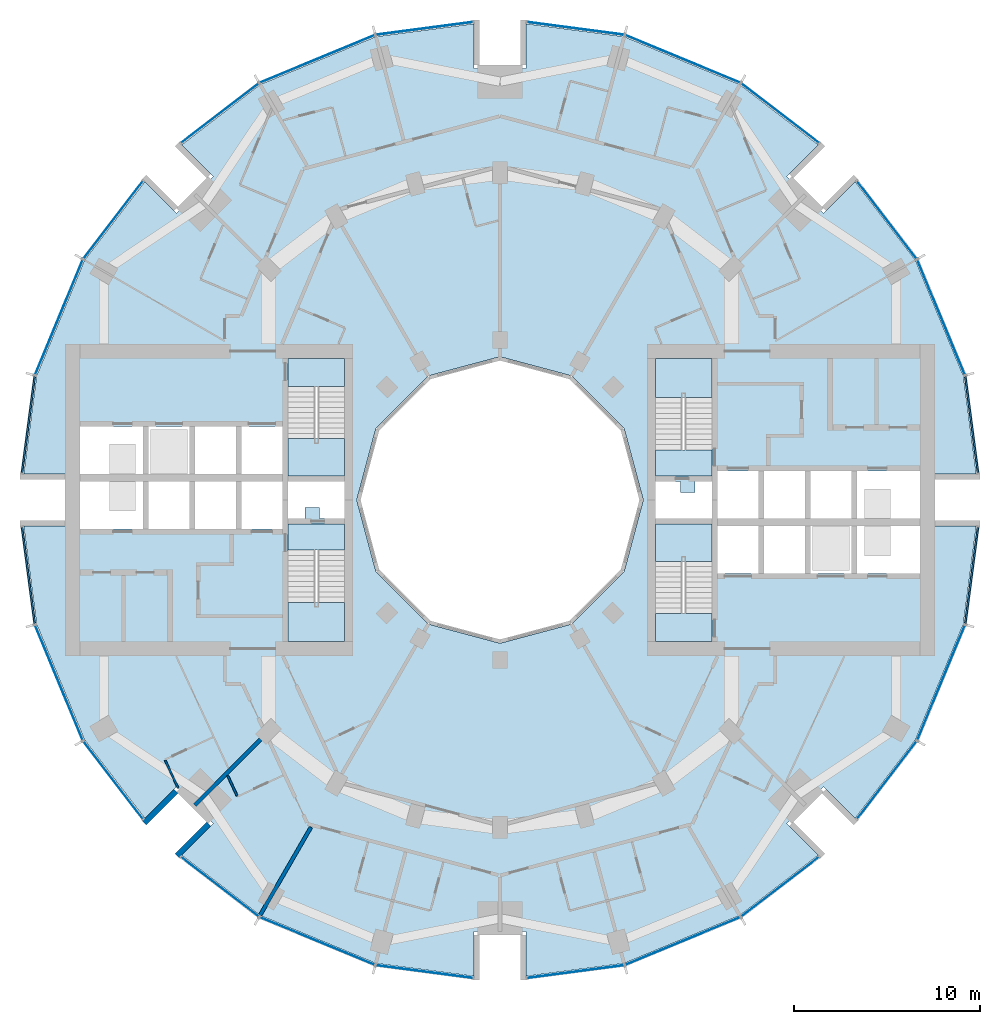
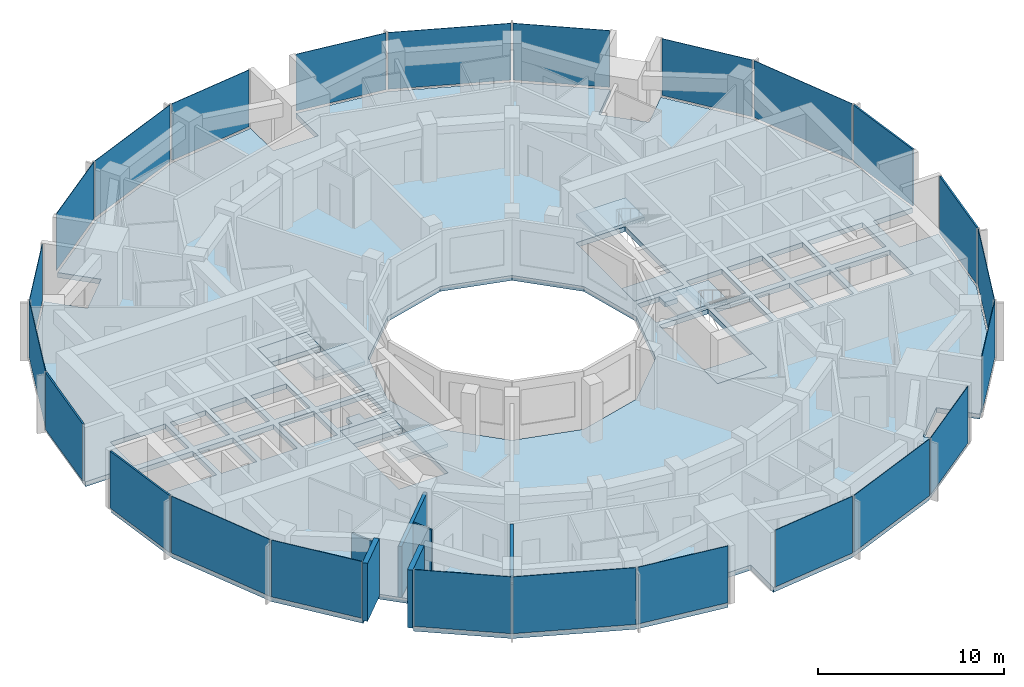
# One storey, part 7 of 15: 24 plates, 9 slabs, 6 walls, 28 elements without a shape of their own.
"""IFC4 building model written with IfcOpenShell, lengths in metres."""

from ifc_helpers import new_model, si_unit, direction, frame, frame_2d, origin, origin_2d, place, context, subcontext, project, spatial, polyline, rectangle, outline, extrude, material, layer, layer_set, type_object, element, aggregate, save


model = new_model("IFC4")

# Units and contexts
model_context = context("Model", 3, precision=1e-05, world=origin(), true_north=direction((0.0, 1.0)))
body_context = subcontext(model_context, "Body", "Model", "MODEL_VIEW")
ifc_project = project(units=[si_unit("LENGTHUNIT", "METRE"), si_unit("AREAUNIT", "SQUARE_METRE"), si_unit("VOLUMEUNIT", "CUBIC_METRE"), si_unit("PLANEANGLEUNIT", "RADIAN"), si_unit("MASSUNIT", "GRAM", prefix="KILO")], contexts=[model_context])

# Site, building, storey
site_placement = place(None, origin())
site = spatial("IfcSite", under=ifc_project, at=site_placement, CompositionType="ELEMENT")
building_placement = place(site_placement, origin())
building = spatial("IfcBuilding", under=site, at=building_placement, Name="Torre Brocal", CompositionType="ELEMENT")
storey_placement = place(building_placement, frame((0.0, 0.0, 82.39990234375)))
storey = spatial("IfcBuildingStorey", under=building, at=storey_placement, Name="L18", CompositionType="ELEMENT", Elevation=82.39990234375)

# Curtain wall, plate
ifc_material_1 = material(Name="Aluminium and glass", Category="aluminium")
ifc_layer_1 = layer(ifc_material_1, 0.199951171875)
ifc_layer_set_1 = layer_set([ifc_layer_1], Name="Aluminium and glass")
curtain_wall_type_1 = type_object("IfcCurtainWallType", Name="CW-1 CURTAIN WALL 3800 HIGH", PredefinedType="NOTDEFINED", material=ifc_layer_set_1)
curtain_wall_1_placement = place(storey_placement, origin())
curtain_wall_1 = element("IfcCurtainWall", 1, at=curtain_wall_1_placement, inside=storey, type_object=curtain_wall_type_1, Name="CW-1 RUN 2", PredefinedType="NOTDEFINED")
ifc_material_2 = material(Name="Glass, dark tinted laminated", Category="glass")
ifc_layer_2 = layer(ifc_material_2, 0.031982421875)
ifc_layer_set_2 = layer_set([ifc_layer_2], Name="Glass, dark tinted laminated")
plate_type_1 = type_object("IfcPlateType", Name="CW-1 GLASS PANEL 32", PredefinedType="CURTAIN_PANEL", material=ifc_layer_set_2)
plate_1_placement = place(storey_placement, frame((103.722900390625, 84.826416015625, 0.080078125), z_axis=(0.0, 0.0, 1.0), x_axis=(-0.382683432333, 0.923879532525, 0.0)))
plate_1 = element("IfcPlate", 2, at=plate_1_placement, type_object=plate_type_1, Name="CW1-1 panel 1.1", PredefinedType="CURTAIN_PANEL", context=body_context, shape_type="SweptSolid", body=[
    extrude(rectangle(XDim=6.64111328125, YDim=0.031982421875, at=origin_2d()), origin(), (0.0, 0.0, 1.0), 3.719970703125),
])
aggregate(curtain_wall_1, [plate_1])

curtain_wall_2_placement = place(storey_placement, origin())
curtain_wall_2 = element("IfcCurtainWall", 3, at=curtain_wall_2_placement, inside=storey, type_object=curtain_wall_type_1, Name="CW-1 RUN 3", PredefinedType="NOTDEFINED")
plate_2_placement = place(storey_placement, frame((100.80126953125, 90.0712890625, 0.080078125), z_axis=(0.0, 0.0, 1.0), x_axis=(-0.60876142905, 0.793353340259, 0.0)))
plate_2 = element("IfcPlate", 4, at=plate_2_placement, type_object=plate_type_1, Name="CW1-1 panel 1.1", PredefinedType="CURTAIN_PANEL", context=body_context, shape_type="SweptSolid", body=[
    extrude(rectangle(XDim=5.22900390625, YDim=0.031982421875, at=origin_2d()), origin(), (0.0, 0.0, 1.0), 3.719970703125),
])
aggregate(curtain_wall_2, [plate_2])

curtain_wall_3_placement = place(storey_placement, origin())
curtain_wall_3 = element("IfcCurtainWall", 5, at=curtain_wall_3_placement, inside=storey, type_object=curtain_wall_type_1, Name="CW-1 RUN 4", PredefinedType="NOTDEFINED")
plate_3_placement = place(storey_placement, frame((95.0712890625, 95.80126953125, 0.080078125), z_axis=(0.0, 0.0, 1.0), x_axis=(-0.793353340259, 0.60876142905, 0.0)))
plate_3 = element("IfcPlate", 6, at=plate_3_placement, type_object=plate_type_1, Name="CW1-1 panel 1.1", PredefinedType="CURTAIN_PANEL", context=body_context, shape_type="SweptSolid", body=[
    extrude(rectangle(XDim=5.22900390625, YDim=0.031982421875, at=origin_2d()), origin(), (0.0, 0.0, 1.0), 3.719970703125),
])
aggregate(curtain_wall_3, [plate_3])

curtain_wall_4_placement = place(storey_placement, origin())
curtain_wall_4 = element("IfcCurtainWall", 7, at=curtain_wall_4_placement, inside=storey, type_object=curtain_wall_type_1, Name="CW-1 RUN 5", PredefinedType="NOTDEFINED")
plate_4_placement = place(storey_placement, frame((89.826416015625, 98.722900390625, 0.080078125), z_axis=(0.0, 0.0, 1.0), x_axis=(-0.923879532525, 0.382683432333, 0.0)))
plate_4 = element("IfcPlate", 8, at=plate_4_placement, type_object=plate_type_1, Name="CW1-1 panel 1.1", PredefinedType="CURTAIN_PANEL", context=body_context, shape_type="SweptSolid", body=[
    extrude(rectangle(XDim=6.64111328125, YDim=0.031982421875, at=origin_2d()), origin(), (0.0, 0.0, 1.0), 3.719970703125),
])
aggregate(curtain_wall_4, [plate_4])

curtain_wall_5_placement = place(storey_placement, origin())
curtain_wall_5 = element("IfcCurtainWall", 9, at=curtain_wall_5_placement, inside=storey, type_object=curtain_wall_type_1, Name="CW-1 RUN 6", PredefinedType="NOTDEFINED")
plate_5_placement = place(storey_placement, frame((84.051513671875, 100.36572265625, 0.080078125), z_axis=(0.0, 0.0, 1.0), x_axis=(-0.991444861374, 0.13052619222, 0.0)))
plate_5 = element("IfcPlate", 10, at=plate_5_placement, type_object=plate_type_1, Name="CW1-1 panel 1.1", PredefinedType="CURTAIN_PANEL", context=body_context, shape_type="SweptSolid", body=[
    extrude(rectangle(XDim=5.22900390625, YDim=0.031982421875, at=origin_2d()), origin(), (0.0, 0.0, 1.0), 3.719970703125),
])
aggregate(curtain_wall_5, [plate_5])

curtain_wall_6_placement = place(storey_placement, origin())
curtain_wall_6 = element("IfcCurtainWall", 11, at=curtain_wall_6_placement, inside=storey, type_object=curtain_wall_type_1, Name="CW-1 RUN 7", PredefinedType="NOTDEFINED")
plate_6_placement = place(storey_placement, frame((75.948486328125, 100.36572265625, 0.080078125), z_axis=(0.0, 0.0, 1.0), x_axis=(-0.991444861374, -0.13052619222, 0.0)))
plate_6 = element("IfcPlate", 12, at=plate_6_placement, type_object=plate_type_1, Name="CW1-1 panel 1.1", PredefinedType="CURTAIN_PANEL", context=body_context, shape_type="SweptSolid", body=[
    extrude(rectangle(XDim=5.22900390625, YDim=0.031982421875, at=origin_2d()), origin(), (0.0, 0.0, 1.0), 3.719970703125),
])
aggregate(curtain_wall_6, [plate_6])

curtain_wall_7_placement = place(storey_placement, origin())
curtain_wall_7 = element("IfcCurtainWall", 13, at=curtain_wall_7_placement, inside=storey, type_object=curtain_wall_type_1, Name="CW-1 RUN 8", PredefinedType="NOTDEFINED")
plate_7_placement = place(storey_placement, frame((70.173583984375, 98.722900390625, 0.080078125), z_axis=(0.0, 0.0, 1.0), x_axis=(-0.923879532525, -0.382683432333, 0.0)))
plate_7 = element("IfcPlate", 14, at=plate_7_placement, type_object=plate_type_1, Name="CW1-1 panel 1.1", PredefinedType="CURTAIN_PANEL", context=body_context, shape_type="SweptSolid", body=[
    extrude(rectangle(XDim=6.64111328125, YDim=0.031982421875, at=origin_2d()), origin(), (0.0, 0.0, 1.0), 3.719970703125),
])
aggregate(curtain_wall_7, [plate_7])

curtain_wall_8_placement = place(storey_placement, origin())
curtain_wall_8 = element("IfcCurtainWall", 15, at=curtain_wall_8_placement, inside=storey, type_object=curtain_wall_type_1, Name="CW-1 RUN 9", PredefinedType="NOTDEFINED")
plate_8_placement = place(storey_placement, frame((64.9287109375, 95.80126953125, 0.080078125), z_axis=(0.0, 0.0, 1.0), x_axis=(-0.793353340259, -0.60876142905, 0.0)))
plate_8 = element("IfcPlate", 16, at=plate_8_placement, type_object=plate_type_1, Name="CW1-1 panel 1.1", PredefinedType="CURTAIN_PANEL", context=body_context, shape_type="SweptSolid", body=[
    extrude(rectangle(XDim=5.22900390625, YDim=0.031982421875, at=origin_2d()), origin(), (0.0, 0.0, 1.0), 3.719970703125),
])
aggregate(curtain_wall_8, [plate_8])

curtain_wall_9_placement = place(storey_placement, origin())
curtain_wall_9 = element("IfcCurtainWall", 17, at=curtain_wall_9_placement, inside=storey, type_object=curtain_wall_type_1, Name="CW-1 RUN 10", PredefinedType="NOTDEFINED")
plate_9_placement = place(storey_placement, frame((59.19873046875, 90.0712890625, 0.080078125), z_axis=(0.0, 0.0, 1.0), x_axis=(-0.60876142905, -0.793353340259, 0.0)))
plate_9 = element("IfcPlate", 18, at=plate_9_placement, type_object=plate_type_1, Name="CW1-1 panel 1.1", PredefinedType="CURTAIN_PANEL", context=body_context, shape_type="SweptSolid", body=[
    extrude(rectangle(XDim=5.22900390625, YDim=0.031982421875, at=origin_2d()), origin(), (0.0, 0.0, 1.0), 3.719970703125),
])
aggregate(curtain_wall_9, [plate_9])

curtain_wall_10_placement = place(storey_placement, origin())
curtain_wall_10 = element("IfcCurtainWall", 19, at=curtain_wall_10_placement, inside=storey, type_object=curtain_wall_type_1, Name="CW-1 RUN 11", PredefinedType="NOTDEFINED")
plate_10_placement = place(storey_placement, frame((56.277099609375, 84.826416015625, 0.080078125), z_axis=(0.0, 0.0, 1.0), x_axis=(-0.382683432333, -0.923879532525, 0.0)))
plate_10 = element("IfcPlate", 20, at=plate_10_placement, type_object=plate_type_1, Name="CW1-1 panel 1.1", PredefinedType="CURTAIN_PANEL", context=body_context, shape_type="SweptSolid", body=[
    extrude(rectangle(XDim=6.64111328125, YDim=0.031982421875, at=origin_2d()), origin(), (0.0, 0.0, 1.0), 3.719970703125),
])
aggregate(curtain_wall_10, [plate_10])

curtain_wall_11_placement = place(storey_placement, origin())
curtain_wall_11 = element("IfcCurtainWall", 21, at=curtain_wall_11_placement, inside=storey, type_object=curtain_wall_type_1, Name="CW-1 RUN 14", PredefinedType="NOTDEFINED")
plate_11_placement = place(storey_placement, frame((56.277099609375, 65.173583984375, 0.080078125), z_axis=(0.0, 0.0, 1.0), x_axis=(0.382683432333, -0.923879532525, 0.0)))
plate_11 = element("IfcPlate", 22, at=plate_11_placement, type_object=plate_type_1, Name="CW1-1 panel 1.1", PredefinedType="CURTAIN_PANEL", context=body_context, shape_type="SweptSolid", body=[
    extrude(rectangle(XDim=6.64111328125, YDim=0.031982421875, at=origin_2d()), origin(), (0.0, 0.0, 1.0), 3.719970703125),
])
aggregate(curtain_wall_11, [plate_11])

curtain_wall_12_placement = place(storey_placement, origin())
curtain_wall_12 = element("IfcCurtainWall", 23, at=curtain_wall_12_placement, inside=storey, type_object=curtain_wall_type_1, Name="CW-1 RUN 15", PredefinedType="NOTDEFINED")
plate_12_placement = place(storey_placement, frame((59.19873046875, 59.9287109375, 0.080078125), z_axis=(0.0, 0.0, 1.0), x_axis=(0.60876142905, -0.793353340259, 0.0)))
plate_12 = element("IfcPlate", 24, at=plate_12_placement, type_object=plate_type_1, Name="CW1-1 panel 1.1", PredefinedType="CURTAIN_PANEL", context=body_context, shape_type="SweptSolid", body=[
    extrude(rectangle(XDim=5.22900390625, YDim=0.031982421875, at=origin_2d()), origin(), (0.0, 0.0, 1.0), 3.719970703125),
])
aggregate(curtain_wall_12, [plate_12])

curtain_wall_13_placement = place(storey_placement, origin())
curtain_wall_13 = element("IfcCurtainWall", 25, at=curtain_wall_13_placement, inside=storey, type_object=curtain_wall_type_1, Name="CW-1 RUN 16", PredefinedType="NOTDEFINED")
plate_13_placement = place(storey_placement, frame((64.9287109375, 54.19873046875, 0.080078125), z_axis=(0.0, 0.0, 1.0), x_axis=(0.793353340259, -0.60876142905, 0.0)))
plate_13 = element("IfcPlate", 26, at=plate_13_placement, type_object=plate_type_1, Name="CW1-1 panel 1.1", PredefinedType="CURTAIN_PANEL", context=body_context, shape_type="SweptSolid", body=[
    extrude(rectangle(XDim=5.22900390625, YDim=0.031982421875, at=origin_2d()), origin(), (0.0, 0.0, 1.0), 3.719970703125),
])
aggregate(curtain_wall_13, [plate_13])

curtain_wall_14_placement = place(storey_placement, origin())
curtain_wall_14 = element("IfcCurtainWall", 27, at=curtain_wall_14_placement, inside=storey, type_object=curtain_wall_type_1, Name="CW-1 RUN 17", PredefinedType="NOTDEFINED")
plate_14_placement = place(storey_placement, frame((70.173583984375, 51.277099609375, 0.080078125), z_axis=(0.0, 0.0, 1.0), x_axis=(0.923879532525, -0.382683432333, 0.0)))
plate_14 = element("IfcPlate", 28, at=plate_14_placement, type_object=plate_type_1, Name="CW1-1 panel 1.1", PredefinedType="CURTAIN_PANEL", context=body_context, shape_type="SweptSolid", body=[
    extrude(rectangle(XDim=6.64111328125, YDim=0.031982421875, at=origin_2d()), origin(), (0.0, 0.0, 1.0), 3.719970703125),
])
aggregate(curtain_wall_14, [plate_14])

curtain_wall_15_placement = place(storey_placement, origin())
curtain_wall_15 = element("IfcCurtainWall", 29, at=curtain_wall_15_placement, inside=storey, type_object=curtain_wall_type_1, Name="CW-1 RUN 18", PredefinedType="NOTDEFINED")
plate_15_placement = place(storey_placement, frame((75.948486328125, 49.63427734375, 0.080078125), z_axis=(0.0, 0.0, 1.0), x_axis=(0.991444861374, -0.13052619222, 0.0)))
plate_15 = element("IfcPlate", 30, at=plate_15_placement, type_object=plate_type_1, Name="CW1-1 panel 1.1", PredefinedType="CURTAIN_PANEL", context=body_context, shape_type="SweptSolid", body=[
    extrude(rectangle(XDim=5.22900390625, YDim=0.031982421875, at=origin_2d()), origin(), (0.0, 0.0, 1.0), 3.719970703125),
])
aggregate(curtain_wall_15, [plate_15])

curtain_wall_16_placement = place(storey_placement, origin())
curtain_wall_16 = element("IfcCurtainWall", 31, at=curtain_wall_16_placement, inside=storey, type_object=curtain_wall_type_1, Name="CW-1 RUN 19", PredefinedType="NOTDEFINED")
plate_16_placement = place(storey_placement, frame((84.051513671875, 49.63427734375, 0.080078125), z_axis=(0.0, 0.0, 1.0), x_axis=(0.991444861374, 0.13052619222, 0.0)))
plate_16 = element("IfcPlate", 32, at=plate_16_placement, type_object=plate_type_1, Name="CW1-1 panel 1.1", PredefinedType="CURTAIN_PANEL", context=body_context, shape_type="SweptSolid", body=[
    extrude(rectangle(XDim=5.22900390625, YDim=0.031982421875, at=origin_2d()), origin(), (0.0, 0.0, 1.0), 3.719970703125),
])
aggregate(curtain_wall_16, [plate_16])

curtain_wall_17_placement = place(storey_placement, origin())
curtain_wall_17 = element("IfcCurtainWall", 33, at=curtain_wall_17_placement, inside=storey, type_object=curtain_wall_type_1, Name="CW-1 RUN 20", PredefinedType="NOTDEFINED")
plate_17_placement = place(storey_placement, frame((89.826416015625, 51.277099609375, 0.080078125), z_axis=(0.0, 0.0, 1.0), x_axis=(0.923879532525, 0.382683432333, 0.0)))
plate_17 = element("IfcPlate", 34, at=plate_17_placement, type_object=plate_type_1, Name="CW1-1 panel 1.1", PredefinedType="CURTAIN_PANEL", context=body_context, shape_type="SweptSolid", body=[
    extrude(rectangle(XDim=6.64111328125, YDim=0.031982421875, at=origin_2d()), origin(), (0.0, 0.0, 1.0), 3.719970703125),
])
aggregate(curtain_wall_17, [plate_17])

curtain_wall_18_placement = place(storey_placement, origin())
curtain_wall_18 = element("IfcCurtainWall", 35, at=curtain_wall_18_placement, inside=storey, type_object=curtain_wall_type_1, Name="CW-1 RUN 21", PredefinedType="NOTDEFINED")
plate_18_placement = place(storey_placement, frame((95.0712890625, 54.19873046875, 0.080078125), z_axis=(0.0, 0.0, 1.0), x_axis=(0.793353340259, 0.60876142905, 0.0)))
plate_18 = element("IfcPlate", 36, at=plate_18_placement, type_object=plate_type_1, Name="CW1-1 panel 1.1", PredefinedType="CURTAIN_PANEL", context=body_context, shape_type="SweptSolid", body=[
    extrude(rectangle(XDim=5.22900390625, YDim=0.031982421875, at=origin_2d()), origin(), (0.0, 0.0, 1.0), 3.719970703125),
])
aggregate(curtain_wall_18, [plate_18])

curtain_wall_19_placement = place(storey_placement, origin())
curtain_wall_19 = element("IfcCurtainWall", 37, at=curtain_wall_19_placement, inside=storey, type_object=curtain_wall_type_1, Name="CW-1 RUN 22", PredefinedType="NOTDEFINED")
plate_19_placement = place(storey_placement, frame((100.80126953125, 59.9287109375, 0.080078125), z_axis=(0.0, 0.0, 1.0), x_axis=(0.60876142905, 0.793353340259, 0.0)))
plate_19 = element("IfcPlate", 38, at=plate_19_placement, type_object=plate_type_1, Name="CW1-1 panel 1.1", PredefinedType="CURTAIN_PANEL", context=body_context, shape_type="SweptSolid", body=[
    extrude(rectangle(XDim=5.22900390625, YDim=0.031982421875, at=origin_2d()), origin(), (0.0, 0.0, 1.0), 3.719970703125),
])
aggregate(curtain_wall_19, [plate_19])

curtain_wall_20_placement = place(storey_placement, origin())
curtain_wall_20 = element("IfcCurtainWall", 39, at=curtain_wall_20_placement, inside=storey, type_object=curtain_wall_type_1, Name="CW-1 RUN 23", PredefinedType="NOTDEFINED")
plate_20_placement = place(storey_placement, frame((103.722900390625, 65.173583984375, 0.080078125), z_axis=(0.0, 0.0, 1.0), x_axis=(0.382683432333, 0.923879532525, 0.0)))
plate_20 = element("IfcPlate", 40, at=plate_20_placement, type_object=plate_type_1, Name="CW1-1 panel 1.1", PredefinedType="CURTAIN_PANEL", context=body_context, shape_type="SweptSolid", body=[
    extrude(rectangle(XDim=6.64111328125, YDim=0.031982421875, at=origin_2d()), origin(), (0.0, 0.0, 1.0), 3.719970703125),
])
aggregate(curtain_wall_20, [plate_20])

ifc_material_3 = material(Name="Aluminium and glass", Category="aluminium")
ifc_layer_3 = layer(ifc_material_3, 0.199951171875)
ifc_layer_set_3 = layer_set([ifc_layer_3], Name="Aluminium and glass")
curtain_wall_type_2 = type_object("IfcCurtainWallType", Name="CW-1B CURTAIN WALL 3800 HIGH", PredefinedType="NOTDEFINED", material=ifc_layer_set_3)
curtain_wall_21_placement = place(storey_placement, origin())
curtain_wall_21 = element("IfcCurtainWall", 41, at=curtain_wall_21_placement, inside=storey, type_object=curtain_wall_type_2, Name="CW-1B RUN 1", PredefinedType="NOTDEFINED")
ifc_material_4 = material(Name="Aluminium composite panel", Category="aluminium")
ifc_layer_4 = layer(ifc_material_4, 0.10009765625)
ifc_layer_set_4 = layer_set([ifc_layer_4], Name="Aluminium composite panel")
plate_type_2 = type_object("IfcPlateType", Name="CW-1B OPAQUE PANEL 100", PredefinedType="CURTAIN_PANEL", material=ifc_layer_set_4)
plate_21_placement = place(storey_placement, frame((105.36572265625, 79.051513671875, 0.080078125), z_axis=(0.0, 0.0, 1.0), x_axis=(-0.13052619222, 0.991444861374, 0.0)))
plate_21 = element("IfcPlate", 42, at=plate_21_placement, type_object=plate_type_2, Name="CW1B-1 panel 1.1", PredefinedType="CURTAIN_PANEL", context=body_context, shape_type="SweptSolid", body=[
    extrude(rectangle(XDim=5.22900390625, YDim=0.10009765625, at=origin_2d()), origin(), (0.0, 0.0, 1.0), 3.719970703125),
])
aggregate(curtain_wall_21, [plate_21])

curtain_wall_22_placement = place(storey_placement, origin())
curtain_wall_22 = element("IfcCurtainWall", 43, at=curtain_wall_22_placement, inside=storey, type_object=curtain_wall_type_2, Name="CW-1B RUN 12", PredefinedType="NOTDEFINED")
plate_22_placement = place(storey_placement, frame((54.63427734375, 79.051513671875, 0.080078125), z_axis=(0.0, 0.0, 1.0), x_axis=(-0.13052619222, -0.991444861374, 0.0)))
plate_22 = element("IfcPlate", 44, at=plate_22_placement, type_object=plate_type_2, Name="CW1B-1 panel 1.1", PredefinedType="CURTAIN_PANEL", context=body_context, shape_type="SweptSolid", body=[
    extrude(rectangle(XDim=5.22900390625, YDim=0.10009765625, at=origin_2d()), origin(), (0.0, 0.0, 1.0), 3.719970703125),
])
aggregate(curtain_wall_22, [plate_22])

curtain_wall_23_placement = place(storey_placement, origin())
curtain_wall_23 = element("IfcCurtainWall", 45, at=curtain_wall_23_placement, inside=storey, type_object=curtain_wall_type_2, Name="CW-1B RUN 13", PredefinedType="NOTDEFINED")
plate_23_placement = place(storey_placement, frame((54.63427734375, 70.948486328125, 0.080078125), z_axis=(0.0, 0.0, 1.0), x_axis=(0.13052619222, -0.991444861374, 0.0)))
plate_23 = element("IfcPlate", 46, at=plate_23_placement, type_object=plate_type_2, Name="CW1B-1 panel 1.1", PredefinedType="CURTAIN_PANEL", context=body_context, shape_type="SweptSolid", body=[
    extrude(rectangle(XDim=5.22900390625, YDim=0.10009765625, at=origin_2d()), origin(), (0.0, 0.0, 1.0), 3.719970703125),
])
aggregate(curtain_wall_23, [plate_23])

curtain_wall_24_placement = place(storey_placement, origin())
curtain_wall_24 = element("IfcCurtainWall", 47, at=curtain_wall_24_placement, inside=storey, type_object=curtain_wall_type_2, Name="CW-1B RUN 24", PredefinedType="NOTDEFINED")
plate_24_placement = place(storey_placement, frame((105.36572265625, 70.948486328125, 0.080078125), z_axis=(0.0, 0.0, 1.0), x_axis=(0.13052619222, 0.991444861374, 0.0)))
plate_24 = element("IfcPlate", 48, at=plate_24_placement, type_object=plate_type_2, Name="CW1B-1 panel 1.1", PredefinedType="CURTAIN_PANEL", context=body_context, shape_type="SweptSolid", body=[
    extrude(rectangle(XDim=5.22900390625, YDim=0.10009765625, at=origin_2d()), origin(), (0.0, 0.0, 1.0), 3.719970703125),
])
aggregate(curtain_wall_24, [plate_24])

# Stair, slab
ifc_material_5 = material(Name="Concrete C50", Category="concrete")
stair_type = type_object("IfcStairType", Name="EXIT STAIR", PredefinedType="HALF_TURN_STAIR", material=ifc_material_5)
stair_1_placement = place(storey_placement, origin())
stair_1 = element("IfcStair", 49, at=stair_1_placement, inside=storey, type_object=stair_type, Name="EXIT STAIR ST1", PredefinedType="HALF_TURN_STAIR")
ifc_material_6 = material(Name="Concrete C50", Category="concrete")
ifc_layer_5 = layer(ifc_material_6, 0.320068359375)
ifc_layer_set_5 = layer_set([ifc_layer_5], Name="Concrete C50")
slab_type_1 = type_object("IfcSlabType", Name="FLOOR LANDING 320", PredefinedType="LANDING", material=ifc_layer_set_5)
slab_1_placement = place(storey_placement, frame((0.0, 0.0, -0.31982421875)))
slab_1 = element("IfcSlab", 50, at=slab_1_placement, type_object=slab_type_1, Name="ST1 landing 1", PredefinedType="LANDING", context=body_context, shape_type="SweptSolid", body=[
    extrude(outline(polyline([(88.35009765625, 76.300048828125), (91.39990234375, 76.300048828125), (91.39990234375, 77.699951171875), (88.35009765625, 77.699951171875), (88.35009765625, 76.300048828125)])), origin(), (0.0, 0.0, 1.0), 0.31982421875),
])

stair_2_placement = place(storey_placement, origin())
stair_2 = element("IfcStair", 51, at=stair_2_placement, inside=storey, type_object=stair_type, Name="EXIT STAIR ST2", PredefinedType="HALF_TURN_STAIR")
slab_2_placement = place(storey_placement, frame((0.0, 0.0, -0.31982421875)))
slab_2 = element("IfcSlab", 52, at=slab_2_placement, type_object=slab_type_1, Name="ST2 landing 1", PredefinedType="LANDING", context=body_context, shape_type="SweptSolid", body=[
    extrude(outline(polyline([(88.35009765625, 67.39990234375), (91.39990234375, 67.39990234375), (91.39990234375, 68.89990234375), (88.35009765625, 68.89990234375), (88.35009765625, 67.39990234375)])), origin(), (0.0, 0.0, 1.0), 0.31982421875),
])

stair_3_placement = place(storey_placement, origin())
stair_3 = element("IfcStair", 53, at=stair_3_placement, inside=storey, type_object=stair_type, Name="EXIT STAIR ST3", PredefinedType="HALF_TURN_STAIR")
slab_3_placement = place(storey_placement, frame((0.0, 0.0, -0.31982421875)))
slab_3 = element("IfcSlab", 54, at=slab_3_placement, type_object=slab_type_1, Name="ST3 landing 1", PredefinedType="LANDING", context=body_context, shape_type="SweptSolid", body=[
    extrude(outline(polyline([(71.64990234375, 73.699951171875), (68.60009765625, 73.699951171875), (68.60009765625, 72.300048828125), (71.64990234375, 72.300048828125), (71.64990234375, 73.699951171875)])), origin(), (0.0, 0.0, 1.0), 0.31982421875),
])

stair_4_placement = place(storey_placement, origin())
stair_4 = element("IfcStair", 55, at=stair_4_placement, inside=storey, type_object=stair_type, Name="EXIT STAIR ST4", PredefinedType="HALF_TURN_STAIR")
slab_4_placement = place(storey_placement, frame((0.0, 0.0, -0.31982421875)))
slab_4 = element("IfcSlab", 56, at=slab_4_placement, type_object=slab_type_1, Name="ST4 landing 1", PredefinedType="LANDING", context=body_context, shape_type="SweptSolid", body=[
    extrude(outline(polyline([(71.64990234375, 82.60009765625), (68.60009765625, 82.60009765625), (68.60009765625, 81.10009765625), (71.64990234375, 81.10009765625), (71.64990234375, 82.60009765625)])), origin(), (0.0, 0.0, 1.0), 0.31982421875),
])

# Slab
ifc_material_7 = material(Name="Concrete C50", Category="concrete")
ifc_layer_6 = layer(ifc_material_7, 0.199951171875)
ifc_layer_set_6 = layer_set([ifc_layer_6], Name="Concrete C50")
slab_type_2 = type_object("IfcSlabType", Name="MID LANDING +1900", PredefinedType="LANDING", material=ifc_layer_set_6)
slab_5_placement = place(storey_placement, frame((0.0, 0.0, 1.7001953125)))
slab_5 = element("IfcSlab", 57, at=slab_5_placement, type_object=slab_type_2, Name="ST1 landing 2", PredefinedType="LANDING", context=body_context, shape_type="SweptSolid", body=[
    extrude(outline(polyline([(88.35009765625, 80.5), (91.39990234375, 80.5), (91.39990234375, 82.60009765625), (88.35009765625, 82.60009765625), (88.35009765625, 80.5)])), origin(), (0.0, 0.0, 1.0), 0.199951171875),
])

aggregate(stair_1, [slab_1, slab_5])

slab_6_placement = place(storey_placement, frame((0.0, 0.0, 1.7001953125)))
slab_6 = element("IfcSlab", 58, at=slab_6_placement, type_object=slab_type_2, Name="ST2 landing 2", PredefinedType="LANDING", context=body_context, shape_type="SweptSolid", body=[
    extrude(outline(polyline([(88.35009765625, 71.699951171875), (91.39990234375, 71.699951171875), (91.39990234375, 73.699951171875), (88.35009765625, 73.699951171875), (88.35009765625, 71.699951171875)])), origin(), (0.0, 0.0, 1.0), 0.199951171875),
])

aggregate(stair_2, [slab_2, slab_6])

slab_7_placement = place(storey_placement, frame((0.0, 0.0, 1.7001953125)))
slab_7 = element("IfcSlab", 59, at=slab_7_placement, type_object=slab_type_2, Name="ST3 landing 2", PredefinedType="LANDING", context=body_context, shape_type="SweptSolid", body=[
    extrude(outline(polyline([(71.64990234375, 69.5), (68.60009765625, 69.5), (68.60009765625, 67.39990234375), (71.64990234375, 67.39990234375), (71.64990234375, 69.5)])), origin(), (0.0, 0.0, 1.0), 0.199951171875),
])

aggregate(stair_3, [slab_3, slab_7])

slab_8_placement = place(storey_placement, frame((0.0, 0.0, 1.7001953125)))
slab_8 = element("IfcSlab", 60, at=slab_8_placement, type_object=slab_type_2, Name="ST4 landing 2", PredefinedType="LANDING", context=body_context, shape_type="SweptSolid", body=[
    extrude(outline(polyline([(71.64990234375, 78.300048828125), (68.60009765625, 78.300048828125), (68.60009765625, 76.300048828125), (71.64990234375, 76.300048828125), (71.64990234375, 78.300048828125)])), origin(), (0.0, 0.0, 1.0), 0.199951171875),
])

aggregate(stair_4, [slab_4, slab_8])

ifc_material_8 = material(Name="Concrete C45", Category="concrete")
ifc_layer_7 = layer(ifc_material_8, 0.320068359375)
ifc_layer_set_7 = layer_set([ifc_layer_7], Name="Concrete C45")
slab_type_3 = type_object("IfcSlabType", Name="PT FLOOR SLAB 320 C45", PredefinedType="FLOOR", material=ifc_layer_set_7)
slab_9_placement = place(storey_placement, frame((0.0, 0.0, -0.31982421875)))
element("IfcSlab", 61, at=slab_9_placement, inside=storey, type_object=slab_type_3, Name="Slab ST-05", PredefinedType="FLOOR", context=body_context, shape_type="SweptSolid", body=[
    extrude(outline(polyline([(103.199951171875, 76.39990234375), (103.199951171875, 73.60009765625), (105.614013671875, 73.60009765625), (104.919189453125, 68.322998046875), (102.342041015625, 62.100830078125), (99.101806640625, 57.878173828125), (97.394775390625, 59.5849609375), (95.4150390625, 57.605224609375), (97.121826171875, 55.898193359375), (92.899169921875, 52.657958984375), (86.677001953125, 50.080810546875), (81.39990234375, 49.385986328125), (81.39990234375, 51.800048828125), (78.60009765625, 51.800048828125), (78.60009765625, 49.385986328125), (73.322998046875, 50.080810546875), (67.100830078125, 52.657958984375), (62.878173828125, 55.898193359375), (64.5849609375, 57.605224609375), (62.605224609375, 59.5849609375), (60.898193359375, 57.878173828125), (57.657958984375, 62.100830078125), (55.080810546875, 68.322998046875), (54.385986328125, 73.60009765625), (56.800048828125, 73.60009765625), (56.800048828125, 76.39990234375), (54.385986328125, 76.39990234375), (55.080810546875, 81.677001953125), (57.657958984375, 87.899169921875), (60.898193359375, 92.121826171875), (62.605224609375, 90.4150390625), (64.5849609375, 92.394775390625), (62.878173828125, 94.101806640625), (67.100830078125, 97.342041015625), (73.322998046875, 99.919189453125), (78.60009765625, 100.614013671875), (78.60009765625, 98.199951171875), (81.39990234375, 98.199951171875), (81.39990234375, 100.614013671875), (86.677001953125, 99.919189453125), (92.899169921875, 97.342041015625), (97.121826171875, 94.101806640625), (95.4150390625, 92.394775390625), (97.394775390625, 90.4150390625), (99.101806640625, 92.121826171875), (102.342041015625, 87.899169921875), (104.919189453125, 81.677001953125), (105.614013671875, 76.39990234375), (103.199951171875, 76.39990234375)]), holes=[polyline([(102.60009765625, 74.0), (102.60009765625, 76.550048828125), (99.199951171875, 76.550048828125), (99.199951171875, 74.0), (102.60009765625, 74.0)]), polyline([(102.60009765625, 71.050048828125), (102.60009765625, 73.60009765625), (99.199951171875, 73.60009765625), (99.199951171875, 71.050048828125), (102.60009765625, 71.050048828125)]), polyline([(98.89990234375, 76.550048828125), (96.699951171875, 76.550048828125), (96.699951171875, 74.0), (98.89990234375, 74.0), (98.89990234375, 76.550048828125)]), polyline([(98.89990234375, 71.050048828125), (98.89990234375, 73.60009765625), (96.699951171875, 73.60009765625), (96.699951171875, 71.050048828125), (98.89990234375, 71.050048828125)]), polyline([(96.39990234375, 73.60009765625), (94.199951171875, 73.60009765625), (94.199951171875, 71.050048828125), (96.39990234375, 71.050048828125), (96.39990234375, 73.60009765625)]), polyline([(96.39990234375, 74.0), (96.39990234375, 76.550048828125), (94.199951171875, 76.550048828125), (94.199951171875, 74.0), (96.39990234375, 74.0)]), polyline([(93.89990234375, 73.60009765625), (91.699951171875, 73.60009765625), (91.699951171875, 71.050048828125), (93.89990234375, 71.050048828125), (93.89990234375, 73.60009765625)]), polyline([(93.89990234375, 74.0), (93.89990234375, 76.550048828125), (91.699951171875, 76.550048828125), (91.699951171875, 74.0), (93.89990234375, 74.0)]), polyline([(91.39990234375, 76.300048828125), (91.39990234375, 82.60009765625), (88.35009765625, 82.60009765625), (88.35009765625, 76.300048828125), (91.39990234375, 76.300048828125)]), polyline([(91.39990234375, 73.699951171875), (88.35009765625, 73.699951171875), (88.35009765625, 67.39990234375), (91.39990234375, 67.39990234375), (91.39990234375, 73.699951171875)]), polyline([(89.699951171875, 76.0), (88.35009765625, 76.0), (88.35009765625, 74.0), (91.39990234375, 74.0), (91.39990234375, 76.0), (90.5, 76.0), (90.5, 75.39990234375), (89.699951171875, 75.39990234375), (89.699951171875, 76.0)]), polyline([(80.0, 82.70703125), (76.146484375, 81.674560546875), (73.325439453125, 78.853515625), (72.29296875, 75.0), (73.325439453125, 71.146484375), (76.146484375, 68.325439453125), (80.0, 67.29296875), (83.853515625, 68.325439453125), (86.674560546875, 71.146484375), (87.70703125, 75.0), (86.674560546875, 78.853515625), (83.853515625, 81.674560546875), (80.0, 82.70703125)]), polyline([(68.60009765625, 82.60009765625), (68.60009765625, 76.300048828125), (71.64990234375, 76.300048828125), (71.64990234375, 82.60009765625), (68.60009765625, 82.60009765625)]), polyline([(70.300048828125, 74.0), (71.64990234375, 74.0), (71.64990234375, 76.0), (68.60009765625, 76.0), (68.60009765625, 74.0), (69.5, 74.0), (69.5, 74.60009765625), (70.300048828125, 74.60009765625), (70.300048828125, 74.0)]), polyline([(68.60009765625, 67.39990234375), (71.64990234375, 67.39990234375), (71.64990234375, 73.699951171875), (68.60009765625, 73.699951171875), (68.60009765625, 67.39990234375)]), polyline([(66.10009765625, 78.949951171875), (66.10009765625, 76.39990234375), (68.300048828125, 76.39990234375), (68.300048828125, 78.949951171875), (66.10009765625, 78.949951171875)]), polyline([(66.10009765625, 76.0), (66.10009765625, 73.449951171875), (68.300048828125, 73.449951171875), (68.300048828125, 76.0), (66.10009765625, 76.0)]), polyline([(63.60009765625, 76.0), (63.60009765625, 73.449951171875), (65.800048828125, 73.449951171875), (65.800048828125, 76.0), (63.60009765625, 76.0)]), polyline([(63.60009765625, 76.39990234375), (65.800048828125, 76.39990234375), (65.800048828125, 78.949951171875), (63.60009765625, 78.949951171875), (63.60009765625, 76.39990234375)]), polyline([(61.10009765625, 78.949951171875), (61.10009765625, 76.39990234375), (63.300048828125, 76.39990234375), (63.300048828125, 78.949951171875), (61.10009765625, 78.949951171875)]), polyline([(61.10009765625, 73.449951171875), (63.300048828125, 73.449951171875), (63.300048828125, 76.0), (61.10009765625, 76.0), (61.10009765625, 73.449951171875)]), polyline([(57.39990234375, 73.449951171875), (60.800048828125, 73.449951171875), (60.800048828125, 76.0), (57.39990234375, 76.0), (57.39990234375, 73.449951171875)]), polyline([(57.39990234375, 78.949951171875), (57.39990234375, 76.39990234375), (60.800048828125, 76.39990234375), (60.800048828125, 78.949951171875), (57.39990234375, 78.949951171875)])]), origin(), (0.0, 0.0, 1.0), 0.31982421875),
])

# Walls
ifc_material_9 = material(Name="Concrete C80", Category="concrete")
ifc_layer_8 = layer(ifc_material_9, 0.300048828125)
ifc_layer_set_8 = layer_set([ifc_layer_8], Name="Concrete C80")
wall_type_1 = type_object("IfcWallType", Name="NOTCH RETURN WALL 300 C80", PredefinedType="NOTDEFINED", material=ifc_layer_set_8)
for number, where, z_axis, x_axis, name in (
    (62, (62.56982421875, 59.337646484375, 0.0), (0.0, 0.0, 1.0), (-0.707106781187, -0.707106781187, 0.0), "NOTCH RETURN WALL"),
    (63, (64.337646484375, 57.56982421875, 0.0), (0.0, 0.0, 1.0), (-0.707106781187, -0.707106781187, 0.0), "NOTCH RETURN WALL"),
):
    element("IfcWall", number, at=place(storey_placement, frame(where, z_axis=z_axis, x_axis=x_axis)), inside=storey, type_object=wall_type_1, Name=name, PredefinedType="NOTDEFINED", context=body_context, shape_type="SweptSolid", body=[
        extrude(rectangle(XDim=2.415771484375, YDim=0.300048828125, at=frame_2d((1.2080078125, 0.0))), origin(), (0.0, 0.0, 1.0), 3.800048828125),
    ])
ifc_material_10 = material(Name="Gypsum board", Category="Gypsum")
ifc_layer_9 = layer(ifc_material_10, 0.10009765625)
ifc_layer_set_9 = layer_set([ifc_layer_9], Name="Gypsum board")
wall_type_2 = type_object("IfcWallType", Name="PARTITION 100", PredefinedType="PARTITIONING", material=ifc_layer_set_9)
wall_1_placement = place(storey_placement, frame((61.99609375, 60.99169921875, 0.0), z_axis=(0.0, 0.0, 1.0), x_axis=(0.422318684634, -0.906447421867, 0.0)))
element("IfcWall", 64, at=wall_1_placement, inside=storey, type_object=wall_type_2, Name="BATHROOM WALL", PredefinedType="PARTITIONING", context=body_context, shape_type="SweptSolid", body=[
    extrude(rectangle(XDim=1.62744140625, YDim=0.10009765625, at=frame_2d((0.813720703125, 0.0))), origin(), (0.0, 0.0, 1.0), 3.35009765625),
])
wall_2_placement = place(storey_placement, frame((65.34765625, 60.188232421875, 0.0), z_axis=(0.0, 0.0, 1.0), x_axis=(0.422387529151, -0.906415343657, 0.0)))
element("IfcWall", 65, at=wall_2_placement, inside=storey, type_object=wall_type_2, Name="BATHROOM WALL", PredefinedType="PARTITIONING", context=body_context, shape_type="SweptSolid", body=[
    extrude(rectangle(XDim=1.2080078125, YDim=0.10009765625, at=frame_2d((0.60400390625, 0.0))), origin(), (0.0, 0.0, 1.0), 3.35009765625),
])
ifc_material_11 = material(Name="Gypsum board", Category="Gypsum")
ifc_layer_10 = layer(ifc_material_11, 0.199951171875)
ifc_layer_set_10 = layer_set([ifc_layer_10], Name="Gypsum board")
wall_type_3 = type_object("IfcWallType", Name="PARTITION 200 EI60", PredefinedType="PARTITIONING", material=ifc_layer_set_10)
wall_3_placement = place(storey_placement, frame((63.592529296875, 58.598876953125, 0.0), z_axis=(0.0, 0.0, 1.0), x_axis=(0.707292874152, 0.706920639233, 0.0)))
element("IfcWall", 66, at=wall_3_placement, inside=storey, type_object=wall_type_3, Name="BATHROOM WALL", PredefinedType="PARTITIONING", context=body_context, shape_type="SweptSolid", body=[
    extrude(rectangle(XDim=5.2470703125, YDim=0.199951171875, at=frame_2d((2.62353515625, 0.0))), origin(), (0.0, 0.0, 1.0), 3.35009765625),
])
wall_4_placement = place(storey_placement, frame((67.094482421875, 52.66259765625, 0.0), z_axis=(0.0, 0.0, 1.0), x_axis=(0.50023225055, 0.865891272337, 0.0)))
element("IfcWall", 67, at=wall_4_placement, inside=storey, type_object=wall_type_3, Name="PARTY PARTITION", PredefinedType="PARTITIONING", context=body_context, shape_type="SweptSolid", body=[
    extrude(rectangle(XDim=5.4716796875, YDim=0.199951171875, at=frame_2d((2.73583984375, 0.0))), origin(), (0.0, 0.0, 1.0), 3.35009765625),
])

save(model, "model.ifc")
